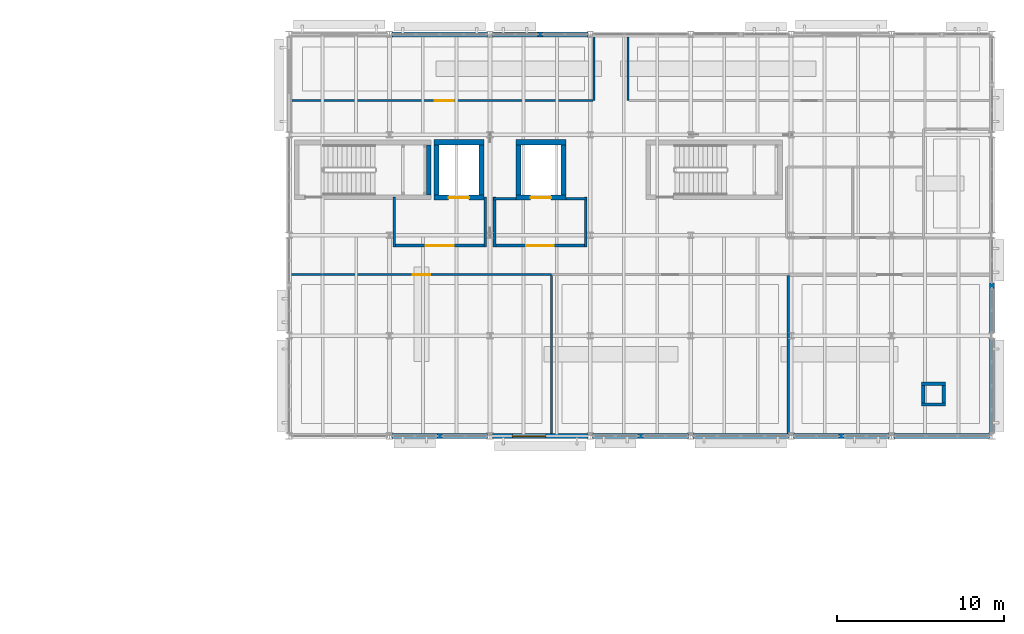
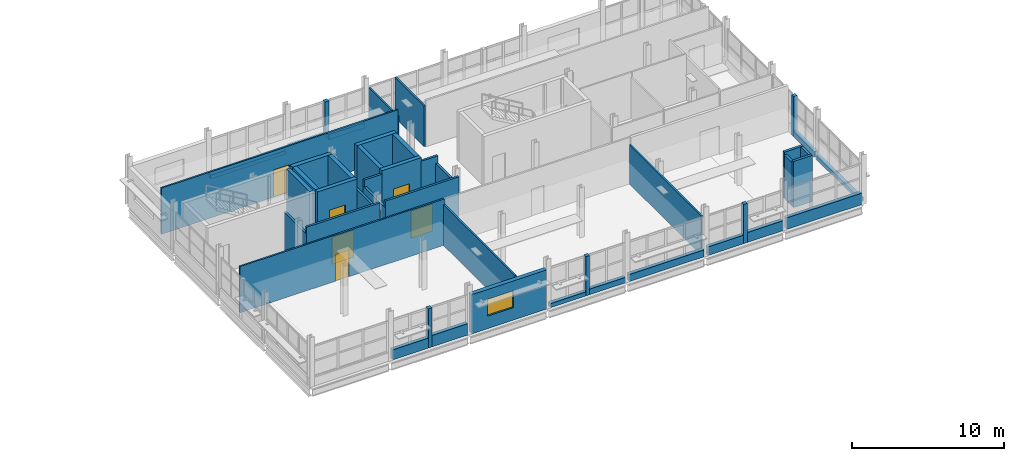
# One storey, part 77 of 92: 46 walls, 6 doors, 1 window, 7 openings.
"""IFC4 building model written with IfcOpenShell, lengths in metres."""

from ifc_helpers import new_model, si_unit, direction, frame, frame_2d, origin, place, context, subcontext, project, spatial, rectangle, extrude, material, layer, layer_set, type_object, element, fill, save


model = new_model("IFC4")

# Units and contexts
model_context = context("Model", 3, precision=1e-05, world=origin(), true_north=direction((0.0, 1.0)))
body_context = subcontext(model_context, "Body", "Model", "MODEL_VIEW")
ifc_project = project(units=[si_unit("LENGTHUNIT", "METRE"), si_unit("AREAUNIT", "SQUARE_METRE"), si_unit("VOLUMEUNIT", "CUBIC_METRE"), si_unit("PLANEANGLEUNIT", "RADIAN"), si_unit("MASSUNIT", "GRAM", prefix="KILO")], contexts=[model_context])

# Site, building, storey
site_placement = place(None, origin())
site = spatial("IfcSite", under=ifc_project, at=site_placement, CompositionType="ELEMENT")
building_placement = place(site_placement, origin())
building = spatial("IfcBuilding", under=site, at=building_placement, Name="Siltcreek Boulevard Central Fire Station", CompositionType="ELEMENT")
storey_placement = place(building_placement, frame((0.0, 0.0, 6.0)))
storey = spatial("IfcBuildingStorey", under=building, at=storey_placement, Name="L02", CompositionType="ELEMENT", Elevation=6.0)

# Wall
ifc_material_1 = material(Name="Concrete C40/50", Category="concrete")
ifc_layer_1 = layer(ifc_material_1, 0.280029296875, Name="Concrete C40/50")
ifc_layer_set_1 = layer_set([ifc_layer_1], Name="Concrete C40/50")
wall_type_1 = type_object("IfcWallType", Name="CW_SHEAR280", PredefinedType="SHEAR", material=ifc_layer_set_1)
wall_1_placement = place(storey_placement, frame((132.5400390625, 102.60009765625, 0.0), z_axis=(0.0, 0.0, 1.0), x_axis=(0.0, 1.0, 0.0)))
element("IfcWall", 1, at=wall_1_placement, inside=storey, type_object=wall_type_1, Name="L02 ST-V5A stair enclosure east shear wall", PredefinedType="SHEAR", context=body_context, shape_type="SweptSolid", body=[
    extrude(rectangle(XDim=3.0, YDim=0.280029296875, at=frame_2d((1.5, 0.0))), origin(), (0.0, 0.0, 1.0), 4.0),
])

# Wall, opening, door
ifc_layer_2 = layer(ifc_material_1, 0.304931640625, Name="Concrete C40/50")
ifc_layer_set_2 = layer_set([ifc_layer_2], Name="Concrete C40/50")
wall_type_2 = type_object("IfcWallType", Name="CW_SHEAR305", PredefinedType="SHEAR", material=ifc_layer_set_2)
wall_2_placement = place(storey_placement, frame((132.844970703125, 102.447509765625, 0.0), z_axis=(0.0, 0.0, 1.0), x_axis=(1.0, 0.0, 0.0)))
wall_2 = element("IfcWall", 2, at=wall_2_placement, inside=storey, type_object=wall_type_2, Name="L02 EL-01 elevator shaft south shear wall", PredefinedType="SHEAR", context=body_context, shape_type="SweptSolid", body=[
    extrude(rectangle(XDim=3.010009765625, YDim=0.304931640625, at=frame_2d((1.5048828125, 0.0))), origin(), (0.0, 0.0, 1.0), 4.0),
])
opening_1_placement = place(wall_2_placement, frame((0.89501953125, 0.0, 0.0)))
opening_1 = element("IfcOpeningElement", 3, at=opening_1_placement, cuts=wall_2, Name="Opening LD02", PredefinedType="OPENING", context=body_context, shape_type="SweptSolid", body=[
    extrude(rectangle(XDim=1.219970703125, YDim=2.219970703125, at=frame_2d((0.60986328125, 1.10986328125))), frame((0.0, 0.162353515625, 0.0), z_axis=(0.0, -1.0, 0.0), x_axis=(1.0, 0.0, 0.0)), (0.0, 0.0, 1.0), 0.324951171875),
])
ifc_material_2 = material(Name="Stainless steel firefighting sliding elevator landing door", Category="steel")
door_type_1 = type_object("IfcDoorType", Name="DR_LD_122X222", OperationType="NOTDEFINED", PredefinedType="DOOR", material=ifc_material_2)
door_1_placement = place(opening_1_placement, origin())
door_1 = element("IfcDoor", 4, at=door_1_placement, inside=storey, type_object=door_type_1, Name="L02 EL-01 elevator sliding landing door LD-03", OperationType="SLIDING_TO_LEFT", OverallHeight=2.219970703125, OverallWidth=1.219970703125, PredefinedType="DOOR", context=body_context, shape_type="SweptSolid", body=[
    extrude(rectangle(XDim=1.219970703125, YDim=2.219970703125, at=frame_2d((0.60986328125, 1.10986328125))), frame((0.0, 0.02490234375, 0.0), z_axis=(0.0, -1.0, 0.0), x_axis=(1.0, 0.0, 0.0)), (0.0, 0.0, 1.0), 0.050048828125),
])
fill(opening_1, door_1)

# Walls
wall_3_placement = place(storey_placement, frame((135.85498046875, 105.75244140625, 0.0), z_axis=(0.0, 0.0, 1.0), x_axis=(-1.0, 0.0, 0.0)))
element("IfcWall", 5, at=wall_3_placement, inside=storey, type_object=wall_type_2, Name="L02 EL-01 elevator shaft north shear wall", PredefinedType="SHEAR", context=body_context, shape_type="SweptSolid", body=[
    extrude(rectangle(XDim=3.010009765625, YDim=0.304931640625, at=frame_2d((1.5048828125, 0.0))), origin(), (0.0, 0.0, 1.0), 4.0),
])
for number, where, z_axis, x_axis, name in (
    (6, (132.99755859375, 105.60009765625, 0.0), (0.0, 0.0, 1.0), (0.0, -1.0, 0.0), "L02 EL-01 elevator shaft west shear wall"),
    (7, (135.702392578125, 102.60009765625, 0.0), (0.0, 0.0, 1.0), (0.0, 1.0, 0.0), "L02 EL-01 elevator shaft east shear wall"),
):
    element("IfcWall", number, at=place(storey_placement, frame(where, z_axis=z_axis, x_axis=x_axis)), inside=storey, type_object=wall_type_2, Name=name, PredefinedType="SHEAR", context=body_context, shape_type="SweptSolid", body=[
        extrude(rectangle(XDim=3.0, YDim=0.304931640625, at=frame_2d((1.5, 0.0))), origin(), (0.0, 0.0, 1.0), 4.0),
    ])

# Wall, opening, door
wall_4_placement = place(storey_placement, frame((137.7451171875, 102.447509765625, 0.0), z_axis=(0.0, 0.0, 1.0), x_axis=(1.0, 0.0, 0.0)))
wall_4 = element("IfcWall", 8, at=wall_4_placement, inside=storey, type_object=wall_type_2, Name="L02 EL-02 elevator shaft south shear wall", PredefinedType="SHEAR", context=body_context, shape_type="SweptSolid", body=[
    extrude(rectangle(XDim=3.009765625, YDim=0.304931640625, at=frame_2d((1.5048828125, 0.0))), origin(), (0.0, 0.0, 1.0), 4.0),
])
opening_2_placement = place(wall_4_placement, frame((0.89501953125, 0.0, 0.0)))
opening_2 = element("IfcOpeningElement", 9, at=opening_2_placement, cuts=wall_4, Name="Opening LD02", PredefinedType="OPENING", context=body_context, shape_type="SweptSolid", body=[
    extrude(rectangle(XDim=1.219970703125, YDim=2.219970703125, at=frame_2d((0.60986328125, 1.10986328125))), frame((0.0, 0.162353515625, 0.0), z_axis=(0.0, -1.0, 0.0), x_axis=(1.0, 0.0, 0.0)), (0.0, 0.0, 1.0), 0.324951171875),
])
door_2_placement = place(opening_2_placement, origin())
door_2 = element("IfcDoor", 10, at=door_2_placement, inside=storey, type_object=door_type_1, Name="L02 EL-02 elevator sliding landing door LD-09", OperationType="SLIDING_TO_LEFT", OverallHeight=2.219970703125, OverallWidth=1.219970703125, PredefinedType="DOOR", context=body_context, shape_type="SweptSolid", body=[
    extrude(rectangle(XDim=1.219970703125, YDim=2.219970703125, at=frame_2d((0.60986328125, 1.10986328125))), frame((0.0, 0.02490234375, 0.0), z_axis=(0.0, -1.0, 0.0), x_axis=(1.0, 0.0, 0.0)), (0.0, 0.0, 1.0), 0.050048828125),
])
fill(opening_2, door_2)

# Walls
wall_5_placement = place(storey_placement, frame((140.7548828125, 105.75244140625, 0.0), z_axis=(0.0, 0.0, 1.0), x_axis=(-1.0, 0.0, 0.0)))
element("IfcWall", 11, at=wall_5_placement, inside=storey, type_object=wall_type_2, Name="L02 EL-02 elevator shaft north shear wall", PredefinedType="SHEAR", context=body_context, shape_type="SweptSolid", body=[
    extrude(rectangle(XDim=3.009765625, YDim=0.304931640625, at=frame_2d((1.5048828125, 0.0))), origin(), (0.0, 0.0, 1.0), 4.0),
])
for number, where, z_axis, x_axis, name in (
    (12, (137.8974609375, 105.60009765625, 0.0), (0.0, 0.0, 1.0), (0.0, -1.0, 0.0), "L02 EL-02 elevator shaft west shear wall"),
    (13, (140.6025390625, 102.60009765625, 0.0), (0.0, 0.0, 1.0), (0.0, 1.0, 0.0), "L02 EL-02 elevator shaft east shear wall"),
):
    element("IfcWall", number, at=place(storey_placement, frame(where, z_axis=z_axis, x_axis=x_axis)), inside=storey, type_object=wall_type_2, Name=name, PredefinedType="SHEAR", context=body_context, shape_type="SweptSolid", body=[
        extrude(rectangle(XDim=3.0, YDim=0.304931640625, at=frame_2d((1.5, 0.0))), origin(), (0.0, 0.0, 1.0), 4.0),
    ])
ifc_material_3 = material(Name="White ribbed aluminum spandrel wall", Category="aluminium")
ifc_layer_3 = layer(ifc_material_3, 0.2900390625, Name="White ribbed aluminum spandrel wall")
ifc_layer_set_3 = layer_set([ifc_layer_3], Name="White ribbed aluminum spandrel wall")
wall_type_3 = type_object("IfcWallType", Name="EW_METAL290", PredefinedType="STANDARD", material=ifc_layer_set_3)
wall_6_placement = place(storey_placement, frame((133.06005859375, 88.199951171875, 0.0), z_axis=(0.0, 0.0, 1.0), x_axis=(1.0, 0.0, 0.0)))
element("IfcWall", 14, at=wall_6_placement, inside=storey, type_object=wall_type_3, Name="L02 V5 facade pier 0332", PredefinedType="STANDARD", context=body_context, shape_type="SweptSolid", body=[
    extrude(rectangle(XDim=0.280029296875, YDim=0.2900390625, at=frame_2d((0.14013671875, 0.0))), origin(), (0.0, 0.0, 1.0), 3.153076171875),
])
wall_7_placement = place(storey_placement, frame((130.344970703125, 88.199951171875, 0.0), z_axis=(0.0, 0.0, 1.0), x_axis=(1.0, 0.0, 0.0)))
element("IfcWall", 15, at=wall_7_placement, inside=storey, type_object=wall_type_3, Name="L02 V5 curtain-wall sill spandrel 0333", PredefinedType="STANDARD", context=body_context, shape_type="SweptSolid", body=[
    extrude(rectangle(XDim=2.715087890625, YDim=0.2900390625, at=frame_2d((1.357421875, 0.0))), origin(), (0.0, 0.0, 1.0), 0.800048828125),
])
wall_8_placement = place(storey_placement, frame((133.340087890625, 88.199951171875, 0.0), z_axis=(0.0, 0.0, 1.0), x_axis=(1.0, 0.0, 0.0)))
element("IfcWall", 16, at=wall_8_placement, inside=storey, type_object=wall_type_3, Name="L02 V5 curtain-wall sill spandrel 0334", PredefinedType="STANDARD", context=body_context, shape_type="SweptSolid", body=[
    extrude(rectangle(XDim=2.71484375, YDim=0.2900390625, at=frame_2d((1.357421875, 0.0))), origin(), (0.0, 0.0, 1.0), 0.919921875),
])
wall_9_placement = place(storey_placement, frame((145.06005859375, 88.199951171875, 0.0), z_axis=(0.0, 0.0, 1.0), x_axis=(1.0, 0.0, 0.0)))
element("IfcWall", 17, at=wall_9_placement, inside=storey, type_object=wall_type_3, Name="L02 V5 facade pier 0336", PredefinedType="STANDARD", context=body_context, shape_type="SweptSolid", body=[
    extrude(rectangle(XDim=0.280029296875, YDim=0.2900390625, at=frame_2d((0.14013671875, 0.0))), origin(), (0.0, 0.0, 1.0), 3.153076171875),
])
wall_10_placement = place(storey_placement, frame((142.344970703125, 88.199951171875, 0.0), z_axis=(0.0, 0.0, 1.0), x_axis=(1.0, 0.0, 0.0)))
element("IfcWall", 18, at=wall_10_placement, inside=storey, type_object=wall_type_3, Name="L02 V5 curtain-wall sill spandrel 0337", PredefinedType="STANDARD", context=body_context, shape_type="SweptSolid", body=[
    extrude(rectangle(XDim=2.715087890625, YDim=0.2900390625, at=frame_2d((1.357421875, 0.0))), origin(), (0.0, 0.0, 1.0), 0.320068359375),
])
wall_11_placement = place(storey_placement, frame((145.340087890625, 88.199951171875, 0.0), z_axis=(0.0, 0.0, 1.0), x_axis=(1.0, 0.0, 0.0)))
element("IfcWall", 19, at=wall_11_placement, inside=storey, type_object=wall_type_3, Name="L02 V5 curtain-wall sill spandrel 0338", PredefinedType="STANDARD", context=body_context, shape_type="SweptSolid", body=[
    extrude(rectangle(XDim=2.71484375, YDim=0.2900390625, at=frame_2d((1.357421875, 0.0))), origin(), (0.0, 0.0, 1.0), 0.43994140625),
])
wall_12_placement = place(storey_placement, frame((148.344970703125, 88.199951171875, 0.0), z_axis=(0.0, 0.0, 1.0), x_axis=(1.0, 0.0, 0.0)))
element("IfcWall", 20, at=wall_12_placement, inside=storey, type_object=wall_type_3, Name="L02 V5 curtain-wall sill spandrel 0339", PredefinedType="STANDARD", context=body_context, shape_type="SweptSolid", body=[
    extrude(rectangle(XDim=5.7099609375, YDim=0.2900390625, at=frame_2d((2.85498046875, 0.0))), origin(), (0.0, 0.0, 1.0), 0.56005859375),
])
wall_13_placement = place(storey_placement, frame((157.06005859375, 88.199951171875, 0.0), z_axis=(0.0, 0.0, 1.0), x_axis=(1.0, 0.0, 0.0)))
element("IfcWall", 21, at=wall_13_placement, inside=storey, type_object=wall_type_3, Name="L02 V5 facade pier 0340", PredefinedType="STANDARD", context=body_context, shape_type="SweptSolid", body=[
    extrude(rectangle(XDim=0.280029296875, YDim=0.2900390625, at=frame_2d((0.14013671875, 0.0))), origin(), (0.0, 0.0, 1.0), 3.153076171875),
])
wall_14_placement = place(storey_placement, frame((154.344970703125, 88.199951171875, 0.0), z_axis=(0.0, 0.0, 1.0), x_axis=(1.0, 0.0, 0.0)))
element("IfcWall", 22, at=wall_14_placement, inside=storey, type_object=wall_type_3, Name="L02 V5 curtain-wall sill spandrel 0341", PredefinedType="STANDARD", context=body_context, shape_type="SweptSolid", body=[
    extrude(rectangle(XDim=2.715087890625, YDim=0.2900390625, at=frame_2d((1.357421875, 0.0))), origin(), (0.0, 0.0, 1.0), 0.679931640625),
])
wall_15_placement = place(storey_placement, frame((157.340087890625, 88.199951171875, 0.0), z_axis=(0.0, 0.0, 1.0), x_axis=(1.0, 0.0, 0.0)))
element("IfcWall", 23, at=wall_15_placement, inside=storey, type_object=wall_type_3, Name="L02 V5 curtain-wall sill spandrel 0342", PredefinedType="STANDARD", context=body_context, shape_type="SweptSolid", body=[
    extrude(rectangle(XDim=2.71484375, YDim=0.2900390625, at=frame_2d((1.357421875, 0.0))), origin(), (0.0, 0.0, 1.0), 0.800048828125),
])
wall_16_placement = place(storey_placement, frame((160.344970703125, 88.199951171875, 0.0), z_axis=(0.0, 0.0, 1.0), x_axis=(1.0, 0.0, 0.0)))
element("IfcWall", 24, at=wall_16_placement, inside=storey, type_object=wall_type_3, Name="L02 V5 curtain-wall sill spandrel 0343", PredefinedType="STANDARD", context=body_context, shape_type="SweptSolid", body=[
    extrude(rectangle(XDim=5.7099609375, YDim=0.2900390625, at=frame_2d((2.85498046875, 0.0))), origin(), (0.0, 0.0, 1.0), 0.919921875),
])
wall_17_placement = place(storey_placement, frame((136.054931640625, 112.199951171875, 0.0), z_axis=(0.0, 0.0, 1.0), x_axis=(-1.0, 0.0, 0.0)))
element("IfcWall", 25, at=wall_17_placement, inside=storey, type_object=wall_type_3, Name="L02 V5 curtain-wall sill spandrel 0345", PredefinedType="STANDARD", context=body_context, shape_type="SweptSolid", body=[
    extrude(rectangle(XDim=5.7099609375, YDim=0.2900390625, at=frame_2d((2.85498046875, 0.0))), origin(), (0.0, 0.0, 1.0), 0.320068359375),
])
wall_18_placement = place(storey_placement, frame((139.340087890625, 112.199951171875, 0.0), z_axis=(0.0, 0.0, 1.0), x_axis=(-1.0, 0.0, 0.0)))
element("IfcWall", 26, at=wall_18_placement, inside=storey, type_object=wall_type_3, Name="L02 V5 facade pier 0346", PredefinedType="STANDARD", context=body_context, shape_type="SweptSolid", body=[
    extrude(rectangle(XDim=0.280029296875, YDim=0.2900390625, at=frame_2d((0.14013671875, 0.0))), origin(), (0.0, 0.0, 1.0), 3.153076171875),
])
wall_19_placement = place(storey_placement, frame((142.054931640625, 112.199951171875, 0.0), z_axis=(0.0, 0.0, 1.0), x_axis=(-1.0, 0.0, 0.0)))
element("IfcWall", 27, at=wall_19_placement, inside=storey, type_object=wall_type_3, Name="L02 V5 curtain-wall sill spandrel 0347", PredefinedType="STANDARD", context=body_context, shape_type="SweptSolid", body=[
    extrude(rectangle(XDim=2.71484375, YDim=0.2900390625, at=frame_2d((1.357421875, 0.0))), origin(), (0.0, 0.0, 1.0), 0.43994140625),
])
wall_20_placement = place(storey_placement, frame((139.06005859375, 112.199951171875, 0.0), z_axis=(0.0, 0.0, 1.0), x_axis=(-1.0, 0.0, 0.0)))
element("IfcWall", 28, at=wall_20_placement, inside=storey, type_object=wall_type_3, Name="L02 V5 curtain-wall sill spandrel 0348", PredefinedType="STANDARD", context=body_context, shape_type="SweptSolid", body=[
    extrude(rectangle(XDim=2.715087890625, YDim=0.2900390625, at=frame_2d((1.357421875, 0.0))), origin(), (0.0, 0.0, 1.0), 0.56005859375),
])
wall_21_placement = place(storey_placement, frame((166.199951171875, 88.344970703125, 0.0), z_axis=(0.0, 0.0, 1.0), x_axis=(0.0, 1.0, 0.0)))
element("IfcWall", 29, at=wall_21_placement, inside=storey, type_object=wall_type_3, Name="L02 V5 curtain-wall sill spandrel 0363", PredefinedType="STANDARD", context=body_context, shape_type="SweptSolid", body=[
    extrude(rectangle(XDim=5.7099609375, YDim=0.2900390625, at=frame_2d((2.85498046875, 0.0))), origin(), (0.0, 0.0, 1.0), 0.320068359375),
])
wall_22_placement = place(storey_placement, frame((166.199951171875, 97.06005859375, 0.0), z_axis=(0.0, 0.0, 1.0), x_axis=(0.0, 1.0, 0.0)))
element("IfcWall", 30, at=wall_22_placement, inside=storey, type_object=wall_type_3, Name="L02 V5 facade pier 0364", PredefinedType="STANDARD", context=body_context, shape_type="SweptSolid", body=[
    extrude(rectangle(XDim=0.280029296875, YDim=0.2900390625, at=frame_2d((0.14013671875, 0.0))), origin(), (0.0, 0.0, 1.0), 3.22705078125),
])
wall_23_placement = place(storey_placement, frame((166.199951171875, 94.344970703125, 0.0), z_axis=(0.0, 0.0, 1.0), x_axis=(0.0, 1.0, 0.0)))
element("IfcWall", 31, at=wall_23_placement, inside=storey, type_object=wall_type_3, Name="L02 V5 curtain-wall sill spandrel 0365", PredefinedType="STANDARD", context=body_context, shape_type="SweptSolid", body=[
    extrude(rectangle(XDim=2.715087890625, YDim=0.2900390625, at=frame_2d((1.357421875, 0.0))), origin(), (0.0, 0.0, 1.0), 0.43994140625),
])

# Wall, opening, window
ifc_material_4 = material(Name="White ribbed aluminum insulated rainscreen panel", Category="aluminium")
ifc_layer_4 = layer(ifc_material_4, 0.320068359375, Name="White ribbed aluminum insulated rainscreen panel")
ifc_layer_set_4 = layer_set([ifc_layer_4], Name="White ribbed aluminum insulated rainscreen panel")
wall_type_4 = type_object("IfcWallType", Name="EW_METAL320", PredefinedType="STANDARD", material=ifc_layer_set_4)
wall_24_placement = place(storey_placement, frame((136.344970703125, 88.199951171875, 0.0), z_axis=(0.0, 0.0, 1.0), x_axis=(1.0, 0.0, 0.0)))
wall_24 = element("IfcWall", 32, at=wall_24_placement, inside=storey, type_object=wall_type_4, Name="L02 V5 exterior insulated rainscreen wall WL-EXT-L02-0335", PredefinedType="STANDARD", context=body_context, shape_type="SweptSolid", body=[
    extrude(rectangle(XDim=5.7099609375, YDim=0.320068359375, at=frame_2d((2.85498046875, 0.0))), origin(), (0.0, 0.0, 1.0), 3.153076171875),
])
opening_3_placement = place(wall_24_placement, frame((1.19287109375, 0.0, 1.0)))
opening_3 = element("IfcOpeningElement", 33, at=opening_3_placement, cuts=wall_24, Name="Opening WN09", PredefinedType="OPENING", context=body_context, shape_type="SweptSolid", body=[
    extrude(rectangle(XDim=2.0, YDim=1.360107421875, at=frame_2d((1.0, 0.68017578125))), frame((0.0, 0.169921875, 0.0), z_axis=(0.0, -1.0, 0.0), x_axis=(1.0, 0.0, 0.0)), (0.0, 0.0, 1.0), 0.340087890625),
])
ifc_material_5 = material(Name="Thermally broken aluminum frame with low-E insulated glass", Category="aluminium")
window_type = type_object("IfcWindowType", Name="WN_PB_200X136", PartitioningType="SINGLE_PANEL", PredefinedType="WINDOW", material=ifc_material_5)
window_placement = place(opening_3_placement, origin())
window = element("IfcWindow", 34, at=window_placement, inside=storey, type_object=window_type, Name="L02 V5 exterior window WN-0150", OverallHeight=1.360107421875, OverallWidth=2.0, PartitioningType="SINGLE_PANEL", PredefinedType="WINDOW", context=body_context, shape_type="SweptSolid", body=[
    extrude(rectangle(XDim=2.0, YDim=1.360107421875, at=frame_2d((1.0, 0.68017578125))), frame((0.0, 0.030029296875, 0.0), z_axis=(0.0, -1.0, 0.0), x_axis=(1.0, 0.0, 0.0)), (0.0, 0.0, 1.0), 0.06005859375),
])
fill(opening_3, window)

# Walls
ifc_material_6 = material(Name="Fire-rated concrete masonry and gypsum barrier", Category="masonry")
ifc_layer_5 = layer(ifc_material_6, 0.199951171875, Name="Fire-rated concrete masonry and gypsum barrier")
ifc_layer_set_5 = layer_set([ifc_layer_5], Name="Fire-rated concrete masonry and gypsum barrier")
wall_type_5 = type_object("IfcWallType", Name="IW_FIRE200", PredefinedType="PARTITIONING", material=ifc_layer_set_5)
wall_25_placement = place(storey_placement, frame((161.985107421875, 90.0849609375, 0.0), z_axis=(0.0, 0.0, 1.0), x_axis=(1.0, 0.0, 0.0)))
element("IfcWall", 35, at=wall_25_placement, inside=storey, type_object=wall_type_5, Name="L02 enclosed MEP service riser wall 024-S", PredefinedType="PARTITIONING", context=body_context, shape_type="SweptSolid", body=[
    extrude(rectangle(XDim=1.429931640625, YDim=0.199951171875, at=frame_2d((0.71484375, 0.0))), origin(), (0.0, 0.0, 1.0), 3.719970703125),
])
wall_26_placement = place(storey_placement, frame((163.31494140625, 90.18505859375, 0.0), z_axis=(0.0, 0.0, 1.0), x_axis=(0.0, 1.0, 0.0)))
element("IfcWall", 36, at=wall_26_placement, inside=storey, type_object=wall_type_5, Name="L02 enclosed MEP service riser wall 024-E", PredefinedType="PARTITIONING", context=body_context, shape_type="SweptSolid", body=[
    extrude(rectangle(XDim=1.030029296875, YDim=0.199951171875, at=frame_2d((0.51513671875, 0.0))), origin(), (0.0, 0.0, 1.0), 3.719970703125),
])
wall_27_placement = place(storey_placement, frame((163.4150390625, 91.31494140625, 0.0), z_axis=(0.0, 0.0, 1.0), x_axis=(-1.0, 0.0, 0.0)))
element("IfcWall", 37, at=wall_27_placement, inside=storey, type_object=wall_type_5, Name="L02 enclosed MEP service riser wall 024-N", PredefinedType="PARTITIONING", context=body_context, shape_type="SweptSolid", body=[
    extrude(rectangle(XDim=1.429931640625, YDim=0.199951171875, at=frame_2d((0.71484375, 0.0))), origin(), (0.0, 0.0, 1.0), 3.719970703125),
])
wall_28_placement = place(storey_placement, frame((162.0849609375, 91.215087890625, 0.0), z_axis=(0.0, 0.0, 1.0), x_axis=(0.0, -1.0, 0.0)))
element("IfcWall", 38, at=wall_28_placement, inside=storey, type_object=wall_type_5, Name="L02 enclosed MEP service riser wall 024-W", PredefinedType="PARTITIONING", context=body_context, shape_type="SweptSolid", body=[
    extrude(rectangle(XDim=1.030029296875, YDim=0.199951171875, at=frame_2d((0.51513671875, 0.0))), origin(), (0.0, 0.0, 1.0), 3.5),
])

# Wall, opening, door
ifc_material_7 = material(Name="Interior steel stud gypsum partition", Category="steel")
ifc_layer_6 = layer(ifc_material_7, 0.125, Name="Interior steel stud gypsum partition")
ifc_layer_set_6 = layer_set([ifc_layer_6], Name="Interior steel stud gypsum partition")
wall_type_6 = type_object("IfcWallType", Name="IW_PART125", PredefinedType="PARTITIONING", material=ifc_layer_set_6)
wall_29_placement = place(storey_placement, frame((124.344970703125, 97.840087890625, 0.0), z_axis=(0.0, 0.0, 1.0), x_axis=(1.0, 0.0, 0.0)))
wall_29 = element("IfcWall", 39, at=wall_29_placement, inside=storey, type_object=wall_type_6, Name="L02 Operations Division Administrative Office partition 0161", PredefinedType="PARTITIONING", context=body_context, shape_type="SweptSolid", body=[
    extrude(rectangle(XDim=15.53759765625, YDim=0.125, at=frame_2d((7.768798828125, 0.0))), origin(), (0.0, 0.0, 1.0), 3.719970703125),
])
opening_4_placement = place(wall_29_placement, frame((7.253662109375, 0.0, 0.0)))
opening_4 = element("IfcOpeningElement", 40, at=opening_4_placement, cuts=wall_29, Name="Opening ID01", PredefinedType="OPENING", context=body_context, shape_type="SweptSolid", body=[
    extrude(rectangle(XDim=1.030029296875, YDim=2.14990234375, at=frame_2d((0.51513671875, 1.074951171875))), frame((0.0, 0.072509765625, 0.0), z_axis=(0.0, -1.0, 0.0), x_axis=(1.0, 0.0, 0.0)), (0.0, 0.0, 1.0), 0.14501953125),
])
ifc_material_8 = material(Name="Solid-core timber acoustic classroom door", Category="wood")
door_type_2 = type_object("IfcDoorType", Name="DR_CLS_103X215", OperationType="NOTDEFINED", PredefinedType="DOOR", material=ifc_material_8)
door_3_placement = place(opening_4_placement, frame((1.030029296875, 0.0, 0.0), z_axis=(0.0, 0.0, 1.0), x_axis=(-1.0, 0.0, 0.0)))
door_3 = element("IfcDoor", 41, at=door_3_placement, inside=storey, type_object=door_type_2, Name="L02 Operations Division Administrative Office door ID-0074", OperationType="SINGLE_SWING_LEFT", OverallHeight=2.14990234375, OverallWidth=1.030029296875, PredefinedType="DOOR", context=body_context, shape_type="SweptSolid", body=[
    extrude(rectangle(XDim=1.030029296875, YDim=2.14990234375, at=frame_2d((0.51513671875, 1.074951171875))), frame((0.0, 0.02490234375, 0.0), z_axis=(0.0, -1.0, 0.0), x_axis=(1.0, 0.0, 0.0)), (0.0, 0.0, 1.0), 0.050048828125),
])
fill(opening_4, door_3)

# Walls
wall_30_placement = place(storey_placement, frame((139.8798828125, 97.777587890625, 0.0), z_axis=(0.0, 0.0, 1.0), x_axis=(0.0, -1.0, 0.0)))
element("IfcWall", 42, at=wall_30_placement, inside=storey, type_object=wall_type_6, Name="L02 Operations Division Administrative Office partition 0162", PredefinedType="PARTITIONING", context=body_context, shape_type="SweptSolid", body=[
    extrude(rectangle(XDim=9.41748046875, YDim=0.125, at=frame_2d((4.708740234375, 0.0))), origin(), (0.0, 0.0, 1.0), 3.2890625),
])
wall_31_placement = place(storey_placement, frame((154.030029296875, 97.777587890625, 0.0), z_axis=(0.0, 0.0, 1.0), x_axis=(0.0, -1.0, 0.0)))
element("IfcWall", 43, at=wall_31_placement, inside=storey, type_object=wall_type_6, Name="L02 Logistics and Fleet Planning Office partition 0164", PredefinedType="PARTITIONING", context=body_context, shape_type="SweptSolid", body=[
    extrude(rectangle(XDim=9.4326171875, YDim=0.125, at=frame_2d((4.71630859375, 0.0))), origin(), (0.0, 0.0, 1.0), 3.156982421875),
])
wall_32_placement = place(storey_placement, frame((142.429931640625, 112.054931640625, 0.0), z_axis=(0.0, 0.0, 1.0), x_axis=(0.0, -1.0, 0.0)))
element("IfcWall", 44, at=wall_32_placement, inside=storey, type_object=wall_type_6, Name="L02 Arson Forensics Analysis Office partition 0166", PredefinedType="PARTITIONING", context=body_context, shape_type="SweptSolid", body=[
    extrude(rectangle(XDim=3.8173828125, YDim=0.125, at=frame_2d((1.90869140625, 0.0))), origin(), (0.0, 0.0, 1.0), 3.156982421875),
])

# Wall, opening, door
wall_33_placement = place(storey_placement, frame((142.367431640625, 108.239990234375, 0.0), z_axis=(0.0, 0.0, 1.0), x_axis=(-1.0, 0.0, 0.0)))
wall_33 = element("IfcWall", 45, at=wall_33_placement, inside=storey, type_object=wall_type_6, Name="L02 Arson Forensics Analysis Office partition 0167", PredefinedType="PARTITIONING", context=body_context, shape_type="SweptSolid", body=[
    extrude(rectangle(XDim=18.00732421875, YDim=0.125, at=frame_2d((9.003662109375, 0.0))), origin(), (0.0, 0.0, 1.0), 3.719970703125),
])
opening_5_placement = place(wall_33_placement, frame((8.313720703125, 0.0, 0.0)))
opening_5 = element("IfcOpeningElement", 46, at=opening_5_placement, cuts=wall_33, Name="Opening ID06", PredefinedType="OPENING", context=body_context, shape_type="SweptSolid", body=[
    extrude(rectangle(XDim=1.159912109375, YDim=2.199951171875, at=frame_2d((0.580078125, 1.10009765625))), frame((0.0, 0.072509765625, 0.0), z_axis=(0.0, -1.0, 0.0), x_axis=(1.0, 0.0, 0.0)), (0.0, 0.0, 1.0), 0.14501953125),
])
ifc_material_9 = material(Name="Glazed simulation laboratory door")
door_type_3 = type_object("IfcDoorType", Name="DR_LAB_116X220", OperationType="NOTDEFINED", PredefinedType="DOOR", material=ifc_material_9)
door_4_placement = place(opening_5_placement, frame((1.159912109375, 0.0, 0.0), z_axis=(0.0, 0.0, 1.0), x_axis=(-1.0, 0.0, 0.0)))
door_4 = element("IfcDoor", 47, at=door_4_placement, inside=storey, type_object=door_type_3, Name="L02 Arson Forensics Analysis Office door ID-0077", OperationType="SINGLE_SWING_RIGHT", OverallHeight=2.199951171875, OverallWidth=1.159912109375, PredefinedType="DOOR", context=body_context, shape_type="SweptSolid", body=[
    extrude(rectangle(XDim=1.159912109375, YDim=2.199951171875, at=frame_2d((0.580078125, 1.10009765625))), frame((0.0, 0.02490234375, 0.0), z_axis=(0.0, -1.0, 0.0), x_axis=(1.0, 0.0, 0.0)), (0.0, 0.0, 1.0), 0.050048828125),
])
fill(opening_5, door_4)

# Walls
wall_34_placement = place(storey_placement, frame((144.43994140625, 108.237548828125, 0.0), z_axis=(0.0, 0.0, 1.0), x_axis=(0.0, 1.0, 0.0)))
element("IfcWall", 48, at=wall_34_placement, inside=storey, type_object=wall_type_6, Name="L02 Special Operations Planning Office partition 0168", PredefinedType="PARTITIONING", context=body_context, shape_type="SweptSolid", body=[
    extrude(rectangle(XDim=3.8173828125, YDim=0.125, at=frame_2d((1.90869140625, 0.0))), origin(), (0.0, 0.0, 1.0), 3.2890625),
])
ifc_material_10 = material(Name="Acoustic smoke-barrier steel stud gypsum wall", Category="steel")
ifc_layer_7 = layer(ifc_material_10, 0.1650390625, Name="Acoustic smoke-barrier steel stud gypsum wall")
ifc_layer_set_7 = layer_set([ifc_layer_7], Name="Acoustic smoke-barrier steel stud gypsum wall")
wall_type_7 = type_object("IfcWallType", Name="IW_SMK165", PredefinedType="PARTITIONING", material=ifc_layer_set_7)
for number, where, z_axis, x_axis, name in (
    (49, (130.47998046875, 99.5, 0.0), (0.0, 0.0, 1.0), (0.0, 1.0, 0.0), "L02 EL-01 elevator lobby W smoke partition"),
    (50, (135.919921875, 102.487548828125, 0.0), (0.0, 0.0, 1.0), (0.0, -1.0, 0.0), "L02 EL-01 elevator lobby E smoke partition"),
):
    element("IfcWall", number, at=place(storey_placement, frame(where, z_axis=z_axis, x_axis=x_axis)), inside=storey, type_object=wall_type_7, Name=name, PredefinedType="PARTITIONING", context=body_context, shape_type="SweptSolid", body=[
        extrude(rectangle(XDim=2.987548828125, YDim=0.1650390625, at=frame_2d((1.49365234375, 0.0))), origin(), (0.0, 0.0, 1.0), 3.156982421875),
    ])

# Wall, opening, door
wall_35_placement = place(storey_placement, frame((130.39990234375, 99.580078125, 0.0), z_axis=(0.0, 0.0, 1.0), x_axis=(1.0, 0.0, 0.0)))
wall_35 = element("IfcWall", 51, at=wall_35_placement, inside=storey, type_object=wall_type_7, Name="L02 EL-01 elevator lobby south smoke partition", PredefinedType="PARTITIONING", context=body_context, shape_type="SweptSolid", body=[
    extrude(rectangle(XDim=5.60009765625, YDim=0.1650390625, at=frame_2d((2.800048828125, 0.0))), origin(), (0.0, 0.0, 1.0), 3.719970703125),
])
opening_6_placement = place(wall_35_placement, frame((1.969970703125, 0.0, 0.0)))
opening_6 = element("IfcOpeningElement", 52, at=opening_6_placement, cuts=wall_35, Name="Opening FD02", PredefinedType="OPENING", context=body_context, shape_type="SweptSolid", body=[
    extrude(rectangle(XDim=1.659912109375, YDim=2.199951171875, at=frame_2d((0.830078125, 1.10009765625))), frame((0.0, 0.092529296875, 0.0), z_axis=(0.0, -1.0, 0.0), x_axis=(1.0, 0.0, 0.0)), (0.0, 0.0, 1.0), 0.18505859375),
])
ifc_material_11 = material(Name="Hollow metal smoke-barrier elevator lobby pair")
door_type_4 = type_object("IfcDoorType", Name="DR_LOB_166X220", OperationType="NOTDEFINED", PredefinedType="DOOR", material=ifc_material_11)
door_5_placement = place(opening_6_placement, frame((1.659912109375, 0.0, 0.0), z_axis=(0.0, 0.0, 1.0), x_axis=(-1.0, 0.0, 0.0)))
door_5 = element("IfcDoor", 53, at=door_5_placement, inside=storey, type_object=door_type_4, Name="L02 EL-01 elevator lobby smoke door", OperationType="DOUBLE_DOOR_SINGLE_SWING", OverallHeight=2.199951171875, OverallWidth=1.659912109375, PredefinedType="DOOR", context=body_context, shape_type="SweptSolid", body=[
    extrude(rectangle(XDim=1.659912109375, YDim=2.199951171875, at=frame_2d((0.830078125, 1.10009765625))), frame((0.0, 0.02490234375, 0.0), z_axis=(0.0, -1.0, 0.0), x_axis=(1.0, 0.0, 0.0)), (0.0, 0.0, 1.0), 0.050048828125),
])
fill(opening_6, door_5)

# Walls
for number, where, z_axis, x_axis, name in (
    (54, (136.47998046875, 99.5, 0.0), (0.0, 0.0, 1.0), (0.0, 1.0, 0.0), "L02 EL-02 elevator lobby W smoke partition"),
    (55, (141.919921875, 102.487548828125, 0.0), (0.0, 0.0, 1.0), (0.0, -1.0, 0.0), "L02 EL-02 elevator lobby E smoke partition"),
):
    element("IfcWall", number, at=place(storey_placement, frame(where, z_axis=z_axis, x_axis=x_axis)), inside=storey, type_object=wall_type_7, Name=name, PredefinedType="PARTITIONING", context=body_context, shape_type="SweptSolid", body=[
        extrude(rectangle(XDim=2.987548828125, YDim=0.1650390625, at=frame_2d((1.49365234375, 0.0))), origin(), (0.0, 0.0, 1.0), 3.156982421875),
    ])
wall_36_placement = place(storey_placement, frame((136.39990234375, 102.375, 0.0), z_axis=(0.0, 0.0, 1.0), x_axis=(1.0, 0.0, 0.0)))
element("IfcWall", 56, at=wall_36_placement, inside=storey, type_object=wall_type_7, Name="L02 EL-02 elevator lobby NW smoke partition", PredefinedType="PARTITIONING", context=body_context, shape_type="SweptSolid", body=[
    extrude(rectangle(XDim=1.364990234375, YDim=0.1650390625, at=frame_2d((0.6826171875, 0.0))), origin(), (0.0, 0.0, 1.0), 3.719970703125),
])
wall_37_placement = place(storey_placement, frame((140.735107421875, 102.375, 0.0), z_axis=(0.0, 0.0, 1.0), x_axis=(1.0, 0.0, 0.0)))
element("IfcWall", 57, at=wall_37_placement, inside=storey, type_object=wall_type_7, Name="L02 EL-02 elevator lobby NE smoke partition", PredefinedType="PARTITIONING", context=body_context, shape_type="SweptSolid", body=[
    extrude(rectangle(XDim=1.264892578125, YDim=0.1650390625, at=frame_2d((0.63232421875, 0.0))), origin(), (0.0, 0.0, 1.0), 3.719970703125),
])

# Wall, opening, door
wall_38_placement = place(storey_placement, frame((136.39990234375, 99.580078125, 0.0), z_axis=(0.0, 0.0, 1.0), x_axis=(1.0, 0.0, 0.0)))
wall_38 = element("IfcWall", 58, at=wall_38_placement, inside=storey, type_object=wall_type_7, Name="L02 EL-02 elevator lobby south smoke partition", PredefinedType="PARTITIONING", context=body_context, shape_type="SweptSolid", body=[
    extrude(rectangle(XDim=5.60009765625, YDim=0.1650390625, at=frame_2d((2.800048828125, 0.0))), origin(), (0.0, 0.0, 1.0), 3.719970703125),
])
opening_7_placement = place(wall_38_placement, frame((1.969970703125, 0.0, 0.0)))
opening_7 = element("IfcOpeningElement", 59, at=opening_7_placement, cuts=wall_38, Name="Opening FD02", PredefinedType="OPENING", context=body_context, shape_type="SweptSolid", body=[
    extrude(rectangle(XDim=1.659912109375, YDim=2.199951171875, at=frame_2d((0.830078125, 1.10009765625))), frame((0.0, 0.092529296875, 0.0), z_axis=(0.0, -1.0, 0.0), x_axis=(1.0, 0.0, 0.0)), (0.0, 0.0, 1.0), 0.18505859375),
])
door_6_placement = place(opening_7_placement, frame((1.659912109375, 0.0, 0.0), z_axis=(0.0, 0.0, 1.0), x_axis=(-1.0, 0.0, 0.0)))
door_6 = element("IfcDoor", 60, at=door_6_placement, inside=storey, type_object=door_type_4, Name="L02 EL-02 elevator lobby smoke door", OperationType="DOUBLE_DOOR_SINGLE_SWING", OverallHeight=2.199951171875, OverallWidth=1.659912109375, PredefinedType="DOOR", context=body_context, shape_type="SweptSolid", body=[
    extrude(rectangle(XDim=1.659912109375, YDim=2.199951171875, at=frame_2d((0.830078125, 1.10009765625))), frame((0.0, 0.02490234375, 0.0), z_axis=(0.0, -1.0, 0.0), x_axis=(1.0, 0.0, 0.0)), (0.0, 0.0, 1.0), 0.050048828125),
])
fill(opening_7, door_6)

save(model, "model.ifc")
